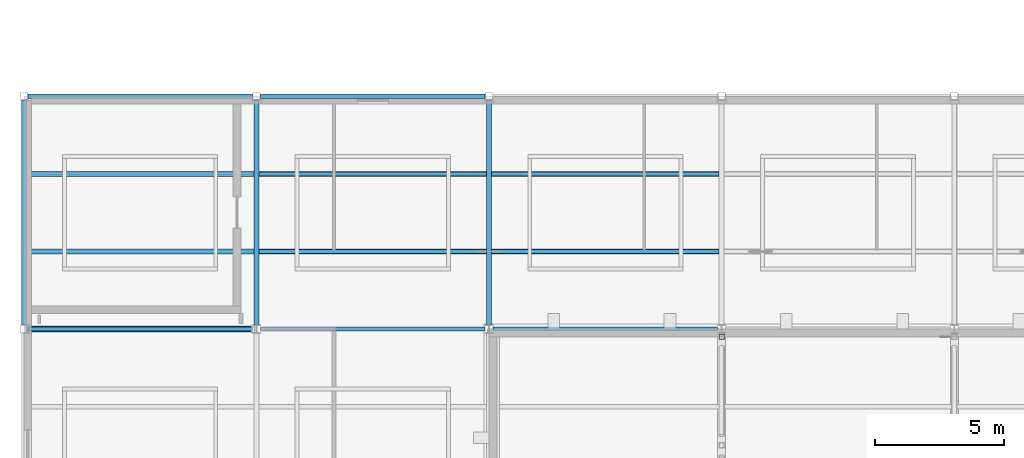
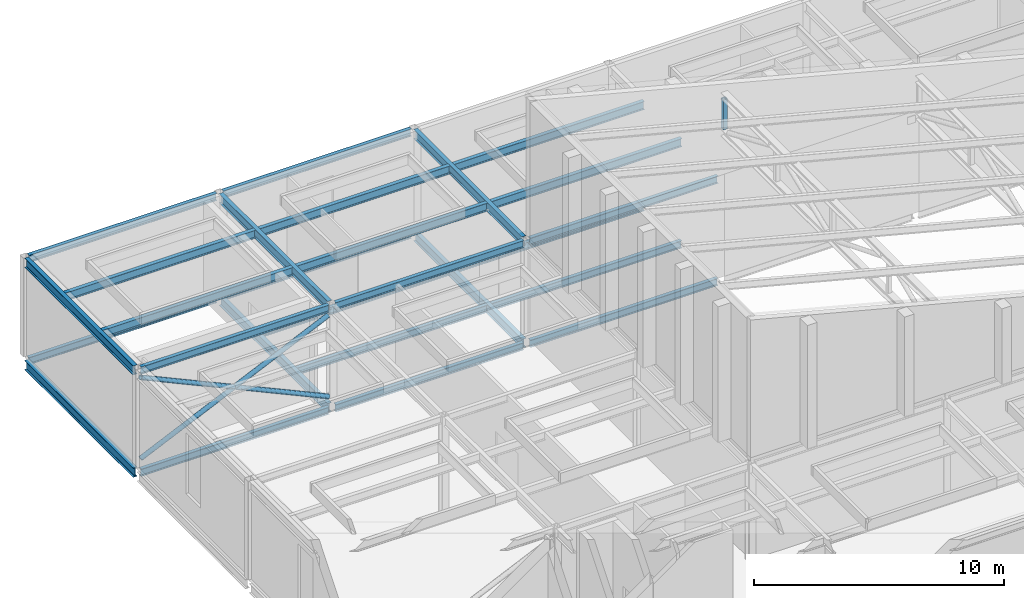
# One storey, part 39 of 115: 26 beams, 3 members.
"""IFC4 building model written with IfcOpenShell, lengths in metres."""

from ifc_helpers import new_model, si_unit, direction, frame, origin, origin_2d, place, context, subcontext, project, spatial, hollow_rectangle, hollow_circle, i_section, extrude, material, material_profile, profile_set, type_object, element, save


model = new_model("IFC4")

# Units and contexts
model_context = context("Model", 3, precision=1e-05, world=origin(), true_north=direction((0.0, 1.0)))
body_context = subcontext(model_context, "Body", "Model", "MODEL_VIEW")
ifc_project = project(units=[si_unit("LENGTHUNIT", "METRE"), si_unit("AREAUNIT", "SQUARE_METRE"), si_unit("VOLUMEUNIT", "CUBIC_METRE"), si_unit("PLANEANGLEUNIT", "RADIAN"), si_unit("MASSUNIT", "GRAM", prefix="KILO")], contexts=[model_context])

# Site, building, storey
site_placement = place(None, origin())
site = spatial("IfcSite", under=ifc_project, at=site_placement, CompositionType="ELEMENT")
building_placement = place(site_placement, origin())
building = spatial("IfcBuilding", under=site, at=building_placement, Name="Shorebreak Coast Museum", CompositionType="ELEMENT")
storey_placement = place(building_placement, frame((0.0, 0.0, 11.0)))
storey = spatial("IfcBuildingStorey", under=building, at=storey_placement, Name="L02", CompositionType="ELEMENT", Elevation=11.0)

# Member
ifc_material_1 = material(Name="Steel Grade C450L0", Category="steel")
ifc_material_profile_1 = material_profile(ifc_material_1, hollow_rectangle(XDim=0.199951171875, YDim=0.199951171875, WallThickness=0.009033203125, InnerFilletRadius=0.013427734375, OuterFilletRadius=0.0224609375, at=origin_2d()), Name="200x200x9.0 SHS")
ifc_profile_set_1 = profile_set([ifc_material_profile_1], Name="Steel Grade C450L0")
member_type_1 = type_object("IfcMemberType", Name="Auditorium roof truss strut 200x200x9.0 SHS", PredefinedType="STRUT", material=ifc_profile_set_1)
member_placement = place(storey_placement, frame((27.0, 80.699951171875, 7.244873046875), z_axis=(0.0, 0.0, 1.0), x_axis=(1.0, 0.0, 0.0)))
element("IfcMember", 1, at=member_placement, inside=storey, type_object=member_type_1, Name="Auditorium roof truss TS1 strut V05", PredefinedType="STRUT", context=body_context, shape_type="SweptSolid", body=[
    extrude(hollow_rectangle(XDim=0.199951171875, YDim=0.199951171875, WallThickness=0.009033203125, InnerFilletRadius=0.013427734375, OuterFilletRadius=0.0224609375, at=origin_2d()), origin(), (0.0, 0.0, 1.0), 1.47265625),
])

# Beams
ifc_material_2 = material(Name="Steel Grade 300", Category="steel")
ifc_material_profile_2 = material_profile(ifc_material_2, i_section(OverallWidth=0.1708984375, OverallDepth=0.355712890625, WebThickness=0.00732421875, FlangeThickness=0.011474609375, FilletRadius=0.011474609375, at=origin_2d()), Name="360UB50.7")
ifc_profile_set_2 = profile_set([ifc_material_profile_2], Name="Steel Grade 300")
beam_type_1 = type_object("IfcBeamType", Name="Floor girder east-west 360UB50.7", PredefinedType="BEAM", material=ifc_profile_set_2)
beam_1_placement = place(storey_placement, frame((0.14990234375, 81.0, -0.352783203125), z_axis=(1.0, 0.0, 0.0), x_axis=(0.0, 1.0, 0.0)))
element("IfcBeam", 2, at=beam_1_placement, inside=storey, type_object=beam_type_1, Name="Floor girder east-west L02 1K", PredefinedType="BEAM", context=body_context, shape_type="SweptSolid", body=[
    extrude(i_section(OverallWidth=0.1708984375, OverallDepth=0.355712890625, WebThickness=0.00732421875, FlangeThickness=0.011474609375, FilletRadius=0.011474609375, at=origin_2d()), origin(), (0.0, 0.0, 1.0), 8.695556640625),
])
beam_2_placement = place(storey_placement, frame((9.154541015625, 81.0, -0.352783203125), z_axis=(1.0, 0.0, 0.0), x_axis=(0.0, 1.0, 0.0)))
element("IfcBeam", 3, at=beam_2_placement, inside=storey, type_object=beam_type_1, Name="Floor girder east-west L02 2K", PredefinedType="BEAM", context=body_context, shape_type="SweptSolid", body=[
    extrude(i_section(OverallWidth=0.1708984375, OverallDepth=0.355712890625, WebThickness=0.00732421875, FlangeThickness=0.011474609375, FilletRadius=0.011474609375, at=origin_2d()), origin(), (0.0, 0.0, 1.0), 8.68994140625),
])
beam_3_placement = place(storey_placement, frame((18.155517578125, 81.0, -0.352783203125), z_axis=(1.0, 0.0, 0.0), x_axis=(0.0, 1.0, 0.0)))
element("IfcBeam", 4, at=beam_3_placement, inside=storey, type_object=beam_type_1, Name="Floor girder east-west L02 3K", PredefinedType="BEAM", context=body_context, shape_type="SweptSolid", body=[
    extrude(i_section(OverallWidth=0.1708984375, OverallDepth=0.355712890625, WebThickness=0.00732421875, FlangeThickness=0.011474609375, FilletRadius=0.011474609375, at=origin_2d()), origin(), (0.0, 0.0, 1.0), 8.68896484375),
])
for number, where, z_axis, x_axis, name in (
    (5, (0.14990234375, 90.0, -0.352783203125), (1.0, 0.0, 0.0), (0.0, 1.0, 0.0), "Floor girder east-west L02 1L"),
    (6, (9.14990234375, 90.0, -0.352783203125), (1.0, 0.0, 0.0), (0.0, 1.0, 0.0), "Floor girder east-west L02 2L"),
):
    element("IfcBeam", number, at=place(storey_placement, frame(where, z_axis=z_axis, x_axis=x_axis)), inside=storey, type_object=beam_type_1, Name=name, PredefinedType="BEAM", context=body_context, shape_type="SweptSolid", body=[
        extrude(i_section(OverallWidth=0.1708984375, OverallDepth=0.355712890625, WebThickness=0.00732421875, FlangeThickness=0.011474609375, FilletRadius=0.011474609375, at=origin_2d()), origin(), (0.0, 0.0, 1.0), 8.7001953125),
    ])
ifc_material_3 = material(Name="Steel Grade 300", Category="steel")
ifc_material_profile_3 = material_profile(ifc_material_3, i_section(OverallWidth=0.19091796875, OverallDepth=0.46044921875, WebThickness=0.010009765625, FlangeThickness=0.01611328125, FilletRadius=0.011474609375, at=origin_2d()), Name="460UB82.1")
ifc_profile_set_3 = profile_set([ifc_material_profile_3], Name="Steel Grade 300")
beam_type_2 = type_object("IfcBeamType", Name="Floor girder north-south 460UB82.1", PredefinedType="BEAM", material=ifc_profile_set_3)
beam_4_placement = place(storey_placement, frame((0.0, 81.14990234375, -0.4052734375), z_axis=(0.0, 1.0, 0.0), x_axis=(-1.0, 0.0, 0.0)))
element("IfcBeam", 7, at=beam_4_placement, inside=storey, type_object=beam_type_2, Name="Floor girder north-south L02 1K", PredefinedType="BEAM", context=body_context, shape_type="SweptSolid", body=[
    extrude(i_section(OverallWidth=0.19091796875, OverallDepth=0.46044921875, WebThickness=0.010009765625, FlangeThickness=0.01611328125, FilletRadius=0.011474609375, at=origin_2d()), origin(), (0.0, 0.0, 1.0), 8.7001953125),
])
beam_5_placement = place(storey_placement, frame((9.0, 81.160400390625, -0.4052734375), z_axis=(0.0, 1.0, 0.0), x_axis=(-1.0, 0.0, 0.0)))
element("IfcBeam", 8, at=beam_5_placement, inside=storey, type_object=beam_type_2, Name="Floor girder north-south L02 2K", PredefinedType="BEAM", context=body_context, shape_type="SweptSolid", body=[
    extrude(i_section(OverallWidth=0.19091796875, OverallDepth=0.46044921875, WebThickness=0.010009765625, FlangeThickness=0.01611328125, FilletRadius=0.011474609375, at=origin_2d()), origin(), (0.0, 0.0, 1.0), 8.689697265625),
])
beam_6_placement = place(storey_placement, frame((18.0, 81.16357421875, -0.4052734375), z_axis=(0.0, 1.0, 0.0), x_axis=(-1.0, 0.0, 0.0)))
element("IfcBeam", 9, at=beam_6_placement, inside=storey, type_object=beam_type_2, Name="Floor girder north-south L02 3K", PredefinedType="BEAM", context=body_context, shape_type="SweptSolid", body=[
    extrude(i_section(OverallWidth=0.19091796875, OverallDepth=0.46044921875, WebThickness=0.010009765625, FlangeThickness=0.01611328125, FilletRadius=0.011474609375, at=origin_2d()), origin(), (0.0, 0.0, 1.0), 8.6865234375),
])
ifc_material_4 = material(Name="Steel Grade 300", Category="steel")
ifc_material_profile_4 = material_profile(ifc_material_4, i_section(OverallWidth=0.1708984375, OverallDepth=0.355712890625, WebThickness=0.00732421875, FlangeThickness=0.011474609375, FilletRadius=0.011474609375, at=origin_2d()), Name="360UB50.7")
ifc_profile_set_4 = profile_set([ifc_material_profile_4], Name="Steel Grade 300")
beam_type_3 = type_object("IfcBeamType", Name="Floor joist 360UB50.7", PredefinedType="JOIST", material=ifc_profile_set_4)
for number, where, z_axis, x_axis, name in (
    (10, (9.095458984375, 84.0, -0.352783203125), (1.0, 0.0, 0.0), (0.0, 1.0, 0.0), "Floor joist L02 bay 2K at 3000 mm"),
    (11, (9.095458984375, 87.0, -0.352783203125), (1.0, 0.0, 0.0), (0.0, 1.0, 0.0), "Floor joist L02 bay 2K at 6000 mm"),
    (12, (18.095458984375, 84.0, -0.352783203125), (1.0, 0.0, 0.0), (0.0, 1.0, 0.0), "Floor joist L02 bay 3K at 3000 mm"),
    (13, (18.095458984375, 87.0, -0.352783203125), (1.0, 0.0, 0.0), (0.0, 1.0, 0.0), "Floor joist L02 bay 3K at 6000 mm"),
):
    element("IfcBeam", number, at=place(storey_placement, frame(where, z_axis=z_axis, x_axis=x_axis)), inside=storey, type_object=beam_type_3, Name=name, PredefinedType="JOIST", context=body_context, shape_type="SweptSolid", body=[
        extrude(i_section(OverallWidth=0.1708984375, OverallDepth=0.355712890625, WebThickness=0.00732421875, FlangeThickness=0.011474609375, FilletRadius=0.011474609375, at=origin_2d()), origin(), (0.0, 0.0, 1.0), 8.80908203125),
    ])
ifc_material_5 = material(Name="Steel Grade 300", Category="steel")
ifc_material_profile_5 = material_profile(ifc_material_5, i_section(OverallWidth=0.1708984375, OverallDepth=0.355712890625, WebThickness=0.00732421875, FlangeThickness=0.011474609375, FilletRadius=0.011474609375, at=origin_2d()), Name="360UB50.7")
ifc_profile_set_5 = profile_set([ifc_material_profile_5], Name="Steel Grade 300")
beam_type_4 = type_object("IfcBeamType", Name="Roof deck girder east-west 360UB50.7", PredefinedType="BEAM", material=ifc_profile_set_5)
beam_7_placement = place(storey_placement, frame((0.14990234375, 81.0, 4.647216796875), z_axis=(1.0, 0.0, 0.0), x_axis=(0.0, 1.0, 0.0)))
element("IfcBeam", 14, at=beam_7_placement, inside=storey, type_object=beam_type_4, Name="Roof deck girder east-west L03 1K", PredefinedType="BEAM", context=body_context, shape_type="SweptSolid", body=[
    extrude(i_section(OverallWidth=0.1708984375, OverallDepth=0.355712890625, WebThickness=0.00732421875, FlangeThickness=0.011474609375, FilletRadius=0.011474609375, at=origin_2d()), origin(), (0.0, 0.0, 1.0), 8.696533203125),
])
beam_8_placement = place(storey_placement, frame((9.153564453125, 81.0, 4.647216796875), z_axis=(1.0, 0.0, 0.0), x_axis=(0.0, 1.0, 0.0)))
element("IfcBeam", 15, at=beam_8_placement, inside=storey, type_object=beam_type_4, Name="Roof deck girder east-west L03 2K", PredefinedType="BEAM", context=body_context, shape_type="SweptSolid", body=[
    extrude(i_section(OverallWidth=0.1708984375, OverallDepth=0.355712890625, WebThickness=0.00732421875, FlangeThickness=0.011474609375, FilletRadius=0.011474609375, at=origin_2d()), origin(), (0.0, 0.0, 1.0), 8.69091796875),
])
beam_9_placement = place(storey_placement, frame((18.155517578125, 81.0, 4.647216796875), z_axis=(1.0, 0.0, 0.0), x_axis=(0.0, 1.0, 0.0)))
element("IfcBeam", 16, at=beam_9_placement, inside=storey, type_object=beam_type_4, Name="Roof deck girder east-west L03 3K", PredefinedType="BEAM", context=body_context, shape_type="SweptSolid", body=[
    extrude(i_section(OverallWidth=0.1708984375, OverallDepth=0.355712890625, WebThickness=0.00732421875, FlangeThickness=0.011474609375, FilletRadius=0.011474609375, at=origin_2d()), origin(), (0.0, 0.0, 1.0), 8.68896484375),
])
for number, where, z_axis, x_axis, name in (
    (17, (0.14990234375, 90.0, 4.647216796875), (1.0, 0.0, 0.0), (0.0, 1.0, 0.0), "Roof deck girder east-west L03 1L"),
    (18, (9.14990234375, 90.0, 4.647216796875), (1.0, 0.0, 0.0), (0.0, 1.0, 0.0), "Roof deck girder east-west L03 2L"),
):
    element("IfcBeam", number, at=place(storey_placement, frame(where, z_axis=z_axis, x_axis=x_axis)), inside=storey, type_object=beam_type_4, Name=name, PredefinedType="BEAM", context=body_context, shape_type="SweptSolid", body=[
        extrude(i_section(OverallWidth=0.1708984375, OverallDepth=0.355712890625, WebThickness=0.00732421875, FlangeThickness=0.011474609375, FilletRadius=0.011474609375, at=origin_2d()), origin(), (0.0, 0.0, 1.0), 8.7001953125),
    ])
ifc_material_6 = material(Name="Steel Grade 300", Category="steel")
ifc_material_profile_6 = material_profile(ifc_material_6, i_section(OverallWidth=0.18994140625, OverallDepth=0.453857421875, WebThickness=0.008544921875, FlangeThickness=0.0126953125, FilletRadius=0.011474609375, at=origin_2d()), Name="460UB67.1")
ifc_profile_set_6 = profile_set([ifc_material_profile_6], Name="Steel Grade 300")
beam_type_5 = type_object("IfcBeamType", Name="Roof deck girder north-south 460UB67.1", PredefinedType="BEAM", material=ifc_profile_set_6)
beam_10_placement = place(storey_placement, frame((0.0, 81.14990234375, 4.59814453125), z_axis=(0.0, 1.0, 0.0), x_axis=(-1.0, 0.0, 0.0)))
element("IfcBeam", 19, at=beam_10_placement, inside=storey, type_object=beam_type_5, Name="Roof deck girder north-south L03 1K", PredefinedType="BEAM", context=body_context, shape_type="SweptSolid", body=[
    extrude(i_section(OverallWidth=0.18994140625, OverallDepth=0.453857421875, WebThickness=0.008544921875, FlangeThickness=0.0126953125, FilletRadius=0.011474609375, at=origin_2d()), origin(), (0.0, 0.0, 1.0), 8.7001953125),
])
beam_11_placement = place(storey_placement, frame((9.0, 81.1572265625, 4.59814453125), z_axis=(0.0, 1.0, 0.0), x_axis=(-1.0, 0.0, 0.0)))
element("IfcBeam", 20, at=beam_11_placement, inside=storey, type_object=beam_type_5, Name="Roof deck girder north-south L03 2K", PredefinedType="BEAM", context=body_context, shape_type="SweptSolid", body=[
    extrude(i_section(OverallWidth=0.18994140625, OverallDepth=0.453857421875, WebThickness=0.008544921875, FlangeThickness=0.0126953125, FilletRadius=0.011474609375, at=origin_2d()), origin(), (0.0, 0.0, 1.0), 8.69287109375),
])
beam_12_placement = place(storey_placement, frame((18.0, 81.16357421875, 4.59814453125), z_axis=(0.0, 1.0, 0.0), x_axis=(-1.0, 0.0, 0.0)))
element("IfcBeam", 21, at=beam_12_placement, inside=storey, type_object=beam_type_5, Name="Roof deck girder north-south L03 3K", PredefinedType="BEAM", context=body_context, shape_type="SweptSolid", body=[
    extrude(i_section(OverallWidth=0.18994140625, OverallDepth=0.453857421875, WebThickness=0.008544921875, FlangeThickness=0.0126953125, FilletRadius=0.011474609375, at=origin_2d()), origin(), (0.0, 0.0, 1.0), 8.6865234375),
])
ifc_material_7 = material(Name="Steel Grade 300", Category="steel")
ifc_material_profile_7 = material_profile(ifc_material_7, i_section(OverallWidth=0.177978515625, OverallDepth=0.402587890625, WebThickness=0.007568359375, FlangeThickness=0.010986328125, FilletRadius=0.011474609375, at=origin_2d()), Name="410UB53.7")
ifc_profile_set_7 = profile_set([ifc_material_profile_7], Name="Steel Grade 300")
beam_type_6 = type_object("IfcBeamType", Name="Roof deck joist 410UB53.7", PredefinedType="JOIST", material=ifc_profile_set_7)
for number, where, z_axis, x_axis, name in (
    (22, (0.094970703125, 84.0, 4.623779296875), (1.0, 0.0, 0.0), (0.0, 1.0, 0.0), "Roof deck joist L03 bay 1K at 3000 mm"),
    (23, (0.094970703125, 87.0, 4.623779296875), (1.0, 0.0, 0.0), (0.0, 1.0, 0.0), "Roof deck joist L03 bay 1K at 6000 mm"),
    (24, (9.094970703125, 84.0, 4.623779296875), (1.0, 0.0, 0.0), (0.0, 1.0, 0.0), "Roof deck joist L03 bay 2K at 3000 mm"),
    (25, (9.094970703125, 87.0, 4.623779296875), (1.0, 0.0, 0.0), (0.0, 1.0, 0.0), "Roof deck joist L03 bay 2K at 6000 mm"),
    (26, (18.094970703125, 84.0, 4.623779296875), (1.0, 0.0, 0.0), (0.0, 1.0, 0.0), "Roof deck joist L03 bay 3K at 3000 mm"),
    (27, (18.094970703125, 87.0, 4.623779296875), (1.0, 0.0, 0.0), (0.0, 1.0, 0.0), "Roof deck joist L03 bay 3K at 6000 mm"),
):
    element("IfcBeam", number, at=place(storey_placement, frame(where, z_axis=z_axis, x_axis=x_axis)), inside=storey, type_object=beam_type_6, Name=name, PredefinedType="JOIST", context=body_context, shape_type="SweptSolid", body=[
        extrude(i_section(OverallWidth=0.177978515625, OverallDepth=0.402587890625, WebThickness=0.007568359375, FlangeThickness=0.010986328125, FilletRadius=0.011474609375, at=origin_2d()), origin(), (0.0, 0.0, 1.0), 8.81005859375),
    ])

# Members
ifc_material_8 = material(Name="Steel Grade C350L0", Category="steel")
ifc_material_profile_8 = material_profile(ifc_material_8, hollow_circle(Radius=0.109619140625, WallThickness=0.00830078125, at=origin_2d()), Name="219.1x8.2 CHS")
ifc_profile_set_8 = profile_set([ifc_material_profile_8], Name="Steel Grade C350L0")
member_type_2 = type_object("IfcMemberType", Name="X-brace 219.1x8.2 CHS", PredefinedType="BRACE", material=ifc_profile_set_8)
for number, where, z_axis, x_axis, name in (
    (28, (0.14990234375, 81.0, 0.300048828125), (0.90950233373, 0.0, 0.415698815178), (0.0, 1.0, 0.0), "X-brace bay 06 L02 diagonal 1"),
    (29, (8.846435546875, 81.0, 0.300048828125), (-0.90950233373, 0.0, 0.415698815178), (0.0, -1.0, 0.0), "X-brace bay 06 L02 diagonal 2"),
):
    element("IfcMember", number, at=place(storey_placement, frame(where, z_axis=z_axis, x_axis=x_axis)), inside=storey, type_object=member_type_2, Name=name, PredefinedType="BRACE", context=body_context, shape_type="SweptSolid", body=[
        extrude(hollow_circle(Radius=0.109619140625, WallThickness=0.00830078125, at=origin_2d()), origin(), (0.0, 0.0, 1.0), 9.561767578125),
    ])

save(model, "model.ifc")
